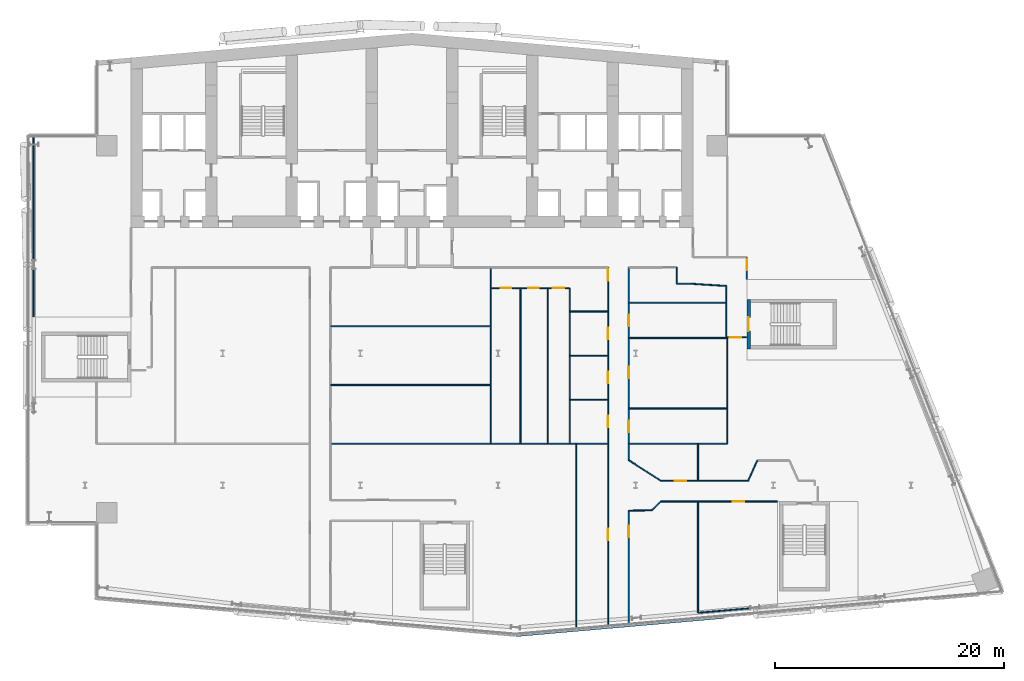
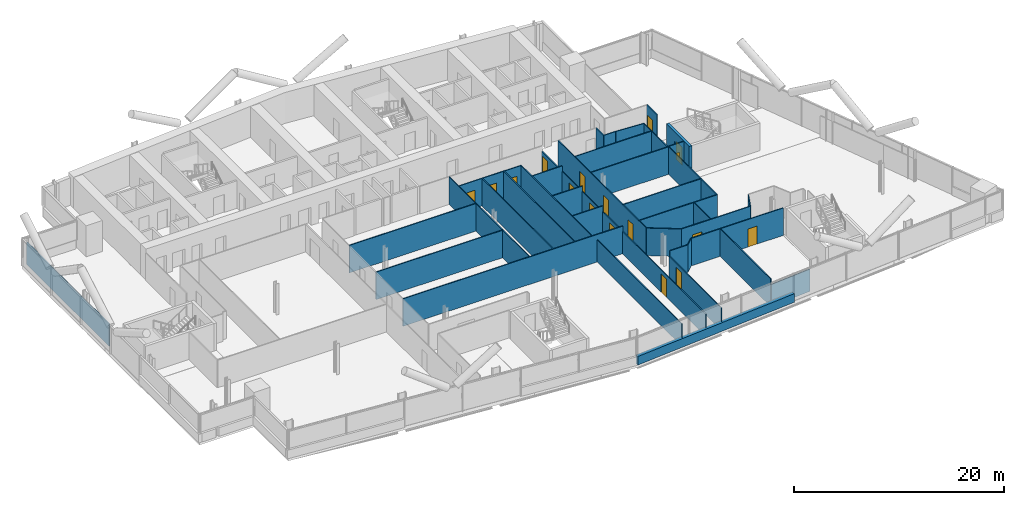
# One storey, part 15 of 27: 38 walls, 17 doors, 17 openings.
"""IFC4 building model written with IfcOpenShell, lengths in metres."""

from ifc_helpers import new_model, si_unit, direction, frame, frame_2d, origin, place, context, subcontext, project, spatial, rectangle, extrude, material, layer, layer_set, type_object, element, fill, save


model = new_model("IFC4")

# Units and contexts
model_context = context("Model", 3, precision=1e-05, world=origin(), true_north=direction((0.0, 1.0)))
body_context = subcontext(model_context, "Body", "Model", "MODEL_VIEW")
ifc_project = project(units=[si_unit("LENGTHUNIT", "METRE"), si_unit("AREAUNIT", "SQUARE_METRE"), si_unit("VOLUMEUNIT", "CUBIC_METRE"), si_unit("PLANEANGLEUNIT", "RADIAN"), si_unit("MASSUNIT", "GRAM", prefix="KILO")], contexts=[model_context])

# Site, building, storey
site_placement = place(None, origin())
site = spatial("IfcSite", under=ifc_project, at=site_placement, CompositionType="ELEMENT")
building_placement = place(site_placement, origin())
building = spatial("IfcBuilding", under=site, at=building_placement, Name="Wharfspan Tower", CompositionType="ELEMENT")
storey_placement = place(building_placement, frame((0.0, 0.0, 111.100098)))
storey = spatial("IfcBuildingStorey", under=building, at=storey_placement, Name="L25", CompositionType="ELEMENT", Elevation=111.100098)

# Walls
ifc_material_1 = material(Name="Gypsum board on steel studs", Category="steel")
ifc_layer_1 = layer(ifc_material_1, 0.100098)
ifc_layer_set_1 = layer_set([ifc_layer_1], Name="Gypsum board on steel studs")
wall_type_1 = type_object("IfcWallType", Name="Compartment wall 100 EI 60", PredefinedType="PARTITIONING", material=ifc_layer_set_1)
wall_1_placement = place(storey_placement, frame((33.399902, 15.129883, 0.0), z_axis=(0.0, 0.0, 1.0), x_axis=(1.0, 0.0, 0.0)))
element("IfcWall", 1, at=wall_1_placement, inside=storey, type_object=wall_type_1, Name="Partition L25.w017", PredefinedType="PARTITIONING", context=body_context, shape_type="SweptSolid", body=[
    extrude(rectangle(XDim=24.200195, YDim=0.100098, at=frame_2d((12.100098, 0.0))), origin(), (0.0, 0.0, 1.0), 3.199951),
])
for number, where, z_axis, x_axis, name in (
    (2, (33.399902, 20.254883, 0.0), (0.0, 0.0, 1.0), (1.0, 0.0, 0.0), "Partition L25.w018"),
    (3, (33.399902, 25.375, 0.0), (0.0, 0.0, 1.0), (1.0, 0.0, 0.0), "Partition L25.w019"),
):
    element("IfcWall", number, at=place(storey_placement, frame(where, z_axis=z_axis, x_axis=x_axis)), inside=storey, type_object=wall_type_1, Name=name, PredefinedType="PARTITIONING", context=body_context, shape_type="SweptSolid", body=[
        extrude(rectangle(XDim=13.975098, YDim=0.100098, at=frame_2d((6.987549, 0.0))), origin(), (0.0, 0.0, 1.0), 3.199951),
    ])
wall_2_placement = place(storey_placement, frame((47.375, 15.129883, 0.0), z_axis=(0.0, 0.0, 1.0), x_axis=(0.0, 1.0, 0.0)))
element("IfcWall", 4, at=wall_2_placement, inside=storey, type_object=wall_type_1, Name="Partition L25.w024", PredefinedType="PARTITIONING", context=body_context, shape_type="SweptSolid", body=[
    extrude(rectangle(XDim=15.360107, YDim=0.100098, at=frame_2d((7.680176, 0.0))), origin(), (0.0, 0.0, 1.0), 3.199951),
])
for number, where, z_axis, x_axis, name in (
    (5, (54.25, 18.975098, 0.0), (0.0, 0.0, 1.0), (1.0, 0.0, 0.0), "Partition L25.w029"),
    (6, (54.25, 22.814941, 0.0), (0.0, 0.0, 1.0), (1.0, 0.0, 0.0), "Partition L25.w030"),
    (7, (54.25, 26.659912, 0.0), (0.0, 0.0, 1.0), (1.0, 0.0, 0.0), "Partition L25.w031"),
):
    element("IfcWall", number, at=place(storey_placement, frame(where, z_axis=z_axis, x_axis=x_axis)), inside=storey, type_object=wall_type_1, Name=name, PredefinedType="PARTITIONING", context=body_context, shape_type="SweptSolid", body=[
        extrude(rectangle(XDim=3.350098, YDim=0.100098, at=frame_2d((1.675049, 0.0))), origin(), (0.0, 0.0, 1.0), 3.199951),
    ])

# Wall, openings, doors
wall_3_placement = place(storey_placement, frame((57.600098, -0.789551, 0.0), z_axis=(0.0, 0.0, 1.0), x_axis=(0.0, 1.0, 0.0)))
wall_3 = element("IfcWall", 8, at=wall_3_placement, inside=storey, type_object=wall_type_1, Name="Partition L25.w033", PredefinedType="PARTITIONING", context=body_context, shape_type="SweptSolid", body=[
    extrude(rectangle(XDim=31.289551, YDim=0.100098, at=frame_2d((15.644775, 0.0))), origin(), (0.0, 0.0, 1.0), 2.579834),
])
opening_1_placement = place(wall_3_placement, frame((7.499512, 0.0, 0.0)))
opening_1 = element("IfcOpeningElement", 9, at=opening_1_placement, cuts=wall_3, Name="Opening B3-02", PredefinedType="OPENING", context=body_context, shape_type="SweptSolid", body=[
    extrude(rectangle(XDim=1.0, YDim=2.100098, at=frame_2d((0.5, 1.050049))), frame((0.0, 0.060059, 0.0), z_axis=(0.0, -1.0, 0.0), x_axis=(1.0, 0.0, 0.0)), (0.0, 0.0, 1.0), 0.120117),
])
opening_2_placement = place(wall_3_placement, frame((17.344482, 0.0, 0.0)))
opening_2 = element("IfcOpeningElement", 10, at=opening_2_placement, cuts=wall_3, Name="Opening B3-09", PredefinedType="OPENING", context=body_context, shape_type="SweptSolid", body=[
    extrude(rectangle(XDim=1.0, YDim=2.100098, at=frame_2d((0.5, 1.050049))), frame((0.0, 0.060059, 0.0), z_axis=(0.0, -1.0, 0.0), x_axis=(1.0, 0.0, 0.0)), (0.0, 0.0, 1.0), 0.120117),
])
opening_3_placement = place(wall_3_placement, frame((21.18457, 0.0, 0.0)))
opening_3 = element("IfcOpeningElement", 11, at=opening_3_placement, cuts=wall_3, Name="Opening B3-11", PredefinedType="OPENING", context=body_context, shape_type="SweptSolid", body=[
    extrude(rectangle(XDim=1.0, YDim=2.100098, at=frame_2d((0.5, 1.050049))), frame((0.0, 0.060059, 0.0), z_axis=(0.0, -1.0, 0.0), x_axis=(1.0, 0.0, 0.0)), (0.0, 0.0, 1.0), 0.120117),
])
opening_4_placement = place(wall_3_placement, frame((25.029541, 0.0, 0.0)))
opening_4 = element("IfcOpeningElement", 12, at=opening_4_placement, cuts=wall_3, Name="Opening B3-15", PredefinedType="OPENING", context=body_context, shape_type="SweptSolid", body=[
    extrude(rectangle(XDim=1.0, YDim=2.100098, at=frame_2d((0.5, 1.050049))), frame((0.0, 0.060059, 0.0), z_axis=(0.0, -1.0, 0.0), x_axis=(1.0, 0.0, 0.0)), (0.0, 0.0, 1.0), 0.120117),
])
opening_5_placement = place(wall_3_placement, frame((30.139404, 0.0, 0.0)))
opening_5 = element("IfcOpeningElement", 13, at=opening_5_placement, cuts=wall_3, Name="Opening B3-24", PredefinedType="OPENING", context=body_context, shape_type="SweptSolid", body=[
    extrude(rectangle(XDim=1.0, YDim=2.100098, at=frame_2d((0.5, 1.050049))), frame((0.0, 0.060059, 0.0), z_axis=(0.0, -1.0, 0.0), x_axis=(1.0, 0.0, 0.0)), (0.0, 0.0, 1.0), 0.120117),
])
ifc_material_2 = material(Name="Fire-rated timber door leaf in steel frame", Category="steel")
door_type_1 = type_object("IfcDoorType", Name="Door 1000 FD30S Left", OperationType="SINGLE_SWING_LEFT", PredefinedType="DOOR", material=ifc_material_2)
door_1_placement = place(opening_1_placement, origin())
door_1 = element("IfcDoor", 14, at=door_1_placement, inside=storey, type_object=door_type_1, Name="Door B3-02", OperationType="SINGLE_SWING_LEFT", OverallHeight=2.100098, OverallWidth=1.0, PredefinedType="DOOR", context=body_context, shape_type="SweptSolid", body=[
    extrude(rectangle(XDim=1.0, YDim=2.100098, at=frame_2d((0.5, 1.050049))), frame((0.0, 0.024902, 0.0), z_axis=(0.0, -1.0, 0.0), x_axis=(1.0, 0.0, 0.0)), (0.0, 0.0, 1.0), 0.050049),
])
fill(opening_1, door_1)
door_type_2 = type_object("IfcDoorType", Name="Door 1000 FD30S Right", OperationType="SINGLE_SWING_RIGHT", PredefinedType="DOOR", material=ifc_material_2)
door_2_placement = place(opening_2_placement, origin())
door_2 = element("IfcDoor", 15, at=door_2_placement, inside=storey, type_object=door_type_2, Name="Door B3-09", OperationType="SINGLE_SWING_RIGHT", OverallHeight=2.100098, OverallWidth=1.0, PredefinedType="DOOR", context=body_context, shape_type="SweptSolid", body=[
    extrude(rectangle(XDim=1.0, YDim=2.100098, at=frame_2d((0.5, 1.050049))), frame((0.0, 0.024902, 0.0), z_axis=(0.0, -1.0, 0.0), x_axis=(1.0, 0.0, 0.0)), (0.0, 0.0, 1.0), 0.050049),
])
fill(opening_2, door_2)
door_3_placement = place(opening_3_placement, origin())
door_3 = element("IfcDoor", 16, at=door_3_placement, inside=storey, type_object=door_type_2, Name="Door B3-11", OperationType="SINGLE_SWING_RIGHT", OverallHeight=2.100098, OverallWidth=1.0, PredefinedType="DOOR", context=body_context, shape_type="SweptSolid", body=[
    extrude(rectangle(XDim=1.0, YDim=2.100098, at=frame_2d((0.5, 1.050049))), frame((0.0, 0.024902, 0.0), z_axis=(0.0, -1.0, 0.0), x_axis=(1.0, 0.0, 0.0)), (0.0, 0.0, 1.0), 0.050049),
])
fill(opening_3, door_3)
door_4_placement = place(opening_4_placement, origin())
door_4 = element("IfcDoor", 17, at=door_4_placement, inside=storey, type_object=door_type_2, Name="Door B3-15", OperationType="SINGLE_SWING_RIGHT", OverallHeight=2.100098, OverallWidth=1.0, PredefinedType="DOOR", context=body_context, shape_type="SweptSolid", body=[
    extrude(rectangle(XDim=1.0, YDim=2.100098, at=frame_2d((0.5, 1.050049))), frame((0.0, 0.024902, 0.0), z_axis=(0.0, -1.0, 0.0), x_axis=(1.0, 0.0, 0.0)), (0.0, 0.0, 1.0), 0.050049),
])
fill(opening_4, door_4)
door_5_placement = place(opening_5_placement, origin())
door_5 = element("IfcDoor", 18, at=door_5_placement, inside=storey, type_object=door_type_2, Name="Door B3-24", OperationType="SINGLE_SWING_RIGHT", OverallHeight=2.100098, OverallWidth=1.0, PredefinedType="DOOR", context=body_context, shape_type="SweptSolid", body=[
    extrude(rectangle(XDim=1.0, YDim=2.100098, at=frame_2d((0.5, 1.050049))), frame((0.0, 0.024902, 0.0), z_axis=(0.0, -1.0, 0.0), x_axis=(1.0, 0.0, 0.0)), (0.0, 0.0, 1.0), 0.050049),
])
fill(opening_5, door_5)

# Wall, opening, door
wall_4_placement = place(storey_placement, frame((59.399902, -0.63208, 0.0), z_axis=(0.0, 0.0, 1.0), x_axis=(0.0, 1.0, 0.0)))
wall_4 = element("IfcWall", 19, at=wall_4_placement, inside=storey, type_object=wall_type_1, Name="Partition L25.w034", PredefinedType="PARTITIONING", context=body_context, shape_type="SweptSolid", body=[
    extrude(rectangle(XDim=9.932129, YDim=0.100098, at=frame_2d((4.966064, 0.0))), origin(), (0.0, 0.0, 1.0), 2.579834),
])
opening_6_placement = place(wall_4_placement, frame((7.601807, 0.0, 0.0)))
opening_6 = element("IfcOpeningElement", 20, at=opening_6_placement, cuts=wall_4, Name="Opening B3-03", PredefinedType="OPENING", context=body_context, shape_type="SweptSolid", body=[
    extrude(rectangle(XDim=1.0, YDim=2.100098, at=frame_2d((0.5, 1.050049))), frame((0.0, 0.060059, 0.0), z_axis=(0.0, -1.0, 0.0), x_axis=(1.0, 0.0, 0.0)), (0.0, 0.0, 1.0), 0.120117),
])
door_6_placement = place(opening_6_placement, origin())
door_6 = element("IfcDoor", 21, at=door_6_placement, inside=storey, type_object=door_type_2, Name="Door B3-03", OperationType="SINGLE_SWING_RIGHT", OverallHeight=2.100098, OverallWidth=1.0, PredefinedType="DOOR", context=body_context, shape_type="SweptSolid", body=[
    extrude(rectangle(XDim=1.0, YDim=2.100098, at=frame_2d((0.5, 1.050049))), frame((0.0, 0.024902, 0.0), z_axis=(0.0, -1.0, 0.0), x_axis=(1.0, 0.0, 0.0)), (0.0, 0.0, 1.0), 0.050049),
])
fill(opening_6, door_6)

# Wall
wall_5_placement = place(storey_placement, frame((59.399902, 9.300049, 0.0), z_axis=(0.0, 0.0, 1.0), x_axis=(0.999918, 0.01245, 0.0)))
element("IfcWall", 22, at=wall_5_placement, inside=storey, type_object=wall_type_1, Name="Partition L25.w035", PredefinedType="PARTITIONING", context=body_context, shape_type="SweptSolid", body=[
    extrude(rectangle(XDim=2.000244, YDim=0.100098, at=frame_2d((1.0, 0.0))), origin(), (0.0, 0.0, 1.0), 3.199951),
])

# Wall, openings, doors
wall_6_placement = place(storey_placement, frame((59.399902, 13.699951, 0.0), z_axis=(0.0, 0.0, 1.0), x_axis=(0.0, 1.0, 0.0)))
wall_6 = element("IfcWall", 23, at=wall_6_placement, inside=storey, type_object=wall_type_1, Name="Partition L25.w036", PredefinedType="PARTITIONING", context=body_context, shape_type="SweptSolid", body=[
    extrude(rectangle(XDim=16.800049, YDim=0.100098, at=frame_2d((8.399902, 0.0))), origin(), (0.0, 0.0, 1.0), 3.199951),
])
opening_7_placement = place(wall_6_placement, frame((2.449951, 0.0, 0.0)))
opening_7 = element("IfcOpeningElement", 24, at=opening_7_placement, cuts=wall_6, Name="Opening B3-08", PredefinedType="OPENING", context=body_context, shape_type="SweptSolid", body=[
    extrude(rectangle(XDim=1.0, YDim=2.100098, at=frame_2d((0.5, 1.050049))), frame((0.0, 0.060059, 0.0), z_axis=(0.0, -1.0, 0.0), x_axis=(1.0, 0.0, 0.0)), (0.0, 0.0, 1.0), 0.120117),
])
opening_8_placement = place(wall_6_placement, frame((7.125, 0.0, 0.0)))
opening_8 = element("IfcOpeningElement", 25, at=opening_8_placement, cuts=wall_6, Name="Opening B3-12", PredefinedType="OPENING", context=body_context, shape_type="SweptSolid", body=[
    extrude(rectangle(XDim=1.0, YDim=2.100098, at=frame_2d((0.5, 1.050049))), frame((0.0, 0.060059, 0.0), z_axis=(0.0, -1.0, 0.0), x_axis=(1.0, 0.0, 0.0)), (0.0, 0.0, 1.0), 0.120117),
])
opening_9_placement = place(wall_6_placement, frame((11.675049, 0.0, 0.0)))
opening_9 = element("IfcOpeningElement", 26, at=opening_9_placement, cuts=wall_6, Name="Opening B3-16", PredefinedType="OPENING", context=body_context, shape_type="SweptSolid", body=[
    extrude(rectangle(XDim=1.0, YDim=2.100098, at=frame_2d((0.5, 1.050049))), frame((0.0, 0.060059, 0.0), z_axis=(0.0, -1.0, 0.0), x_axis=(1.0, 0.0, 0.0)), (0.0, 0.0, 1.0), 0.120117),
])
door_7_placement = place(opening_7_placement, origin())
door_7 = element("IfcDoor", 27, at=door_7_placement, inside=storey, type_object=door_type_1, Name="Door B3-08", OperationType="SINGLE_SWING_LEFT", OverallHeight=2.100098, OverallWidth=1.0, PredefinedType="DOOR", context=body_context, shape_type="SweptSolid", body=[
    extrude(rectangle(XDim=1.0, YDim=2.100098, at=frame_2d((0.5, 1.050049))), frame((0.0, 0.024902, 0.0), z_axis=(0.0, -1.0, 0.0), x_axis=(1.0, 0.0, 0.0)), (0.0, 0.0, 1.0), 0.050049),
])
fill(opening_7, door_7)
door_8_placement = place(opening_8_placement, origin())
door_8 = element("IfcDoor", 28, at=door_8_placement, inside=storey, type_object=door_type_1, Name="Door B3-12", OperationType="SINGLE_SWING_LEFT", OverallHeight=2.100098, OverallWidth=1.0, PredefinedType="DOOR", context=body_context, shape_type="SweptSolid", body=[
    extrude(rectangle(XDim=1.0, YDim=2.100098, at=frame_2d((0.5, 1.050049))), frame((0.0, 0.024902, 0.0), z_axis=(0.0, -1.0, 0.0), x_axis=(1.0, 0.0, 0.0)), (0.0, 0.0, 1.0), 0.050049),
])
fill(opening_8, door_8)
door_9_placement = place(opening_9_placement, origin())
door_9 = element("IfcDoor", 29, at=door_9_placement, inside=storey, type_object=door_type_2, Name="Door B3-16", OperationType="SINGLE_SWING_RIGHT", OverallHeight=2.100098, OverallWidth=1.0, PredefinedType="DOOR", context=body_context, shape_type="SweptSolid", body=[
    extrude(rectangle(XDim=1.0, YDim=2.100098, at=frame_2d((0.5, 1.050049))), frame((0.0, 0.024902, 0.0), z_axis=(0.0, -1.0, 0.0), x_axis=(1.0, 0.0, 0.0)), (0.0, 0.0, 1.0), 0.050049),
])
fill(opening_9, door_9)

# Walls
for number, where, z_axis, x_axis, name in (
    (30, (59.399902, 15.129883, 0.0), (0.0, 0.0, 1.0), (1.0, 0.0, 0.0), "Partition L25.w037"),
    (31, (59.399902, 18.205078, 0.0), (0.0, 0.0, 1.0), (1.0, 0.0, 0.0), "Partition L25.w038"),
    (32, (59.399902, 24.35498, 0.0), (0.0, 0.0, 1.0), (1.0, 0.0, 0.0), "Partition L25.w039"),
):
    element("IfcWall", number, at=place(storey_placement, frame(where, z_axis=z_axis, x_axis=x_axis)), inside=storey, type_object=wall_type_1, Name=name, PredefinedType="PARTITIONING", context=body_context, shape_type="SweptSolid", body=[
        extrude(rectangle(XDim=8.600098, YDim=0.100098, at=frame_2d((4.300049, 0.0))), origin(), (0.0, 0.0, 1.0), 3.199951),
    ])
wall_7_placement = place(storey_placement, frame((59.399902, 27.425049, 0.0), z_axis=(0.0, 0.0, 1.0), x_axis=(1.0, 0.0, 0.0)))
element("IfcWall", 33, at=wall_7_placement, inside=storey, type_object=wall_type_1, Name="Partition L25.w040", PredefinedType="PARTITIONING", context=body_context, shape_type="SweptSolid", body=[
    extrude(rectangle(XDim=8.48999, YDim=0.100098, at=frame_2d((4.245117, 0.0))), origin(), (0.0, 0.0, 1.0), 3.199951),
])
wall_8_placement = place(storey_placement, frame((61.399902, 9.324951, 0.0), z_axis=(0.0, 0.0, 1.0), x_axis=(0.720495, 0.693452, 0.0)))
element("IfcWall", 34, at=wall_8_placement, inside=storey, type_object=wall_type_1, Name="Partition L25.w042", PredefinedType="PARTITIONING", context=body_context, shape_type="SweptSolid", body=[
    extrude(rectangle(XDim=1.110352, YDim=0.100098, at=frame_2d((0.555176, 0.0))), origin(), (0.0, 0.0, 1.0), 3.199951),
])

# Wall, opening, door
wall_9_placement = place(storey_placement, frame((62.199951, 10.094971, 0.0), z_axis=(0.0, 0.0, 1.0), x_axis=(1.0, 0.0, 0.0)))
wall_9 = element("IfcWall", 35, at=wall_9_placement, inside=storey, type_object=wall_type_1, Name="Partition L25.w043", PredefinedType="PARTITIONING", context=body_context, shape_type="SweptSolid", body=[
    extrude(rectangle(XDim=10.145996, YDim=0.100098, at=frame_2d((5.072998, 0.0))), origin(), (0.0, 0.0, 1.0), 3.199951),
])
opening_10_placement = place(wall_9_placement, frame((6.26001, 0.0, 0.0)))
opening_10 = element("IfcOpeningElement", 36, at=opening_10_placement, cuts=wall_9, Name="Opening B3-05", PredefinedType="OPENING", context=body_context, shape_type="SweptSolid", body=[
    extrude(rectangle(XDim=1.0, YDim=2.100098, at=frame_2d((0.5, 1.050049))), frame((0.0, 0.060059, 0.0), z_axis=(0.0, -1.0, 0.0), x_axis=(1.0, 0.0, 0.0)), (0.0, 0.0, 1.0), 0.120117),
])
door_10_placement = place(opening_10_placement, origin())
door_10 = element("IfcDoor", 37, at=door_10_placement, inside=storey, type_object=door_type_2, Name="Door B3-05", OperationType="SINGLE_SWING_RIGHT", OverallHeight=2.100098, OverallWidth=1.0, PredefinedType="DOOR", context=body_context, shape_type="SweptSolid", body=[
    extrude(rectangle(XDim=1.0, YDim=2.100098, at=frame_2d((0.5, 1.050049))), frame((0.0, 0.024902, 0.0), z_axis=(0.0, -1.0, 0.0), x_axis=(1.0, 0.0, 0.0)), (0.0, 0.0, 1.0), 0.050049),
])
fill(opening_10, door_10)

wall_10_placement = place(storey_placement, frame((62.199951, 11.89502, 0.0), z_axis=(0.0, 0.0, 1.0), x_axis=(1.0, 0.0, 0.0)))
wall_10 = element("IfcWall", 38, at=wall_10_placement, inside=storey, type_object=wall_type_1, Name="Partition L25.w044", PredefinedType="PARTITIONING", context=body_context, shape_type="SweptSolid", body=[
    extrude(rectangle(XDim=7.600098, YDim=0.100098, at=frame_2d((3.800049, 0.0))), origin(), (0.0, 0.0, 1.0), 3.199951),
])
opening_11_placement = place(wall_10_placement, frame((1.219971, 0.0, 0.0)))
opening_11 = element("IfcOpeningElement", 39, at=opening_11_placement, cuts=wall_10, Name="Opening B3-07", PredefinedType="OPENING", context=body_context, shape_type="SweptSolid", body=[
    extrude(rectangle(XDim=1.0, YDim=2.100098, at=frame_2d((0.5, 1.050049))), frame((0.0, 0.060059, 0.0), z_axis=(0.0, -1.0, 0.0), x_axis=(1.0, 0.0, 0.0)), (0.0, 0.0, 1.0), 0.120117),
])
door_11_placement = place(opening_11_placement, origin())
door_11 = element("IfcDoor", 40, at=door_11_placement, inside=storey, type_object=door_type_1, Name="Door B3-07", OperationType="SINGLE_SWING_LEFT", OverallHeight=2.100098, OverallWidth=1.0, PredefinedType="DOOR", context=body_context, shape_type="SweptSolid", body=[
    extrude(rectangle(XDim=1.0, YDim=2.100098, at=frame_2d((0.5, 1.050049))), frame((0.0, 0.024902, 0.0), z_axis=(0.0, -1.0, 0.0), x_axis=(1.0, 0.0, 0.0)), (0.0, 0.0, 1.0), 0.050049),
])
fill(opening_11, door_11)

# Walls
wall_11_placement = place(storey_placement, frame((62.199951, 11.89502, 0.0), z_axis=(0.0, 0.0, 1.0), x_axis=(-0.840512, 0.5418, 0.0)))
element("IfcWall", 41, at=wall_11_placement, inside=storey, type_object=wall_type_1, Name="Partition L25.w045", PredefinedType="PARTITIONING", context=body_context, shape_type="SweptSolid", body=[
    extrude(rectangle(XDim=3.331299, YDim=0.100098, at=frame_2d((1.665527, 0.0))), origin(), (0.0, 0.0, 1.0), 3.199951),
])
wall_12_placement = place(storey_placement, frame((63.574951, 29.074951, 0.0), z_axis=(0.0, 0.0, 1.0), x_axis=(0.0, 1.0, 0.0)))
element("IfcWall", 42, at=wall_12_placement, inside=storey, type_object=wall_type_1, Name="Partition L25.w046", PredefinedType="PARTITIONING", context=body_context, shape_type="SweptSolid", body=[
    extrude(rectangle(XDim=1.425049, YDim=0.100098, at=frame_2d((0.712402, 0.0))), origin(), (0.0, 0.0, 1.0), 3.199951),
])
wall_13_placement = place(storey_placement, frame((63.574951, 29.074951, 0.0), z_axis=(0.0, 0.0, 1.0), x_axis=(1.0, 0.0, 0.0)))
element("IfcWall", 43, at=wall_13_placement, inside=storey, type_object=wall_type_1, Name="Partition L25.w047", PredefinedType="PARTITIONING", context=body_context, shape_type="SweptSolid", body=[
    extrude(rectangle(XDim=1.285156, YDim=0.100098, at=frame_2d((0.642578, 0.0))), origin(), (0.0, 0.0, 1.0), 3.199951),
])
wall_14_placement = place(storey_placement, frame((65.439941, 0.389893, 0.0), z_axis=(0.0, 0.0, 1.0), x_axis=(0.0, 1.0, 0.0)))
element("IfcWall", 44, at=wall_14_placement, inside=storey, type_object=wall_type_1, Name="Partition L25.w051", PredefinedType="PARTITIONING", context=body_context, shape_type="SweptSolid", body=[
    extrude(rectangle(XDim=9.705078, YDim=0.100098, at=frame_2d((4.852539, 0.0))), origin(), (0.0, 0.0, 1.0), 3.199951),
])
wall_15_placement = place(storey_placement, frame((65.439941, 11.89502, 0.0), z_axis=(0.0, 0.0, 1.0), x_axis=(0.0, 1.0, 0.0)))
element("IfcWall", 45, at=wall_15_placement, inside=storey, type_object=wall_type_1, Name="Partition L25.w052", PredefinedType="PARTITIONING", context=body_context, shape_type="SweptSolid", body=[
    extrude(rectangle(XDim=3.234863, YDim=0.100098, at=frame_2d((1.617432, 0.0))), origin(), (0.0, 0.0, 1.0), 3.199951),
])
wall_16_placement = place(storey_placement, frame((67.889893, 24.399902, 0.0), z_axis=(0.0, 0.0, 1.0), x_axis=(0.0, 1.0, 0.0)))
element("IfcWall", 46, at=wall_16_placement, inside=storey, type_object=wall_type_1, Name="Partition L25.w053", PredefinedType="PARTITIONING", context=body_context, shape_type="SweptSolid", body=[
    extrude(rectangle(XDim=4.485107, YDim=0.100098, at=frame_2d((2.242676, 0.0))), origin(), (0.0, 0.0, 1.0), 3.199951),
])

# Wall, opening, door
wall_17_placement = place(storey_placement, frame((68.0, 24.399902, 0.0), z_axis=(0.0, 0.0, 1.0), x_axis=(1.0, 0.0, 0.0)))
wall_17 = element("IfcWall", 47, at=wall_17_placement, inside=storey, type_object=wall_type_1, Name="Partition L25.w054", PredefinedType="PARTITIONING", context=body_context, shape_type="SweptSolid", body=[
    extrude(rectangle(XDim=1.67041, YDim=0.100098, at=frame_2d((0.835205, 0.0))), origin(), (0.0, 0.0, 1.0), 3.199951),
])
opening_12_placement = place(wall_17_placement, frame((0.199951, 0.0, 0.0)))
opening_12 = element("IfcOpeningElement", 48, at=opening_12_placement, cuts=wall_17, Name="Opening B3-14", PredefinedType="OPENING", context=body_context, shape_type="SweptSolid", body=[
    extrude(rectangle(XDim=1.0, YDim=2.100098, at=frame_2d((0.5, 1.050049))), frame((0.0, 0.060059, 0.0), z_axis=(0.0, -1.0, 0.0), x_axis=(1.0, 0.0, 0.0)), (0.0, 0.0, 1.0), 0.120117),
])
door_12_placement = place(opening_12_placement, origin())
door_12 = element("IfcDoor", 49, at=door_12_placement, inside=storey, type_object=door_type_1, Name="Door B3-14", OperationType="SINGLE_SWING_LEFT", OverallHeight=2.100098, OverallWidth=1.0, PredefinedType="DOOR", context=body_context, shape_type="SweptSolid", body=[
    extrude(rectangle(XDim=1.0, YDim=2.100098, at=frame_2d((0.5, 1.050049))), frame((0.0, 0.024902, 0.0), z_axis=(0.0, -1.0, 0.0), x_axis=(1.0, 0.0, 0.0)), (0.0, 0.0, 1.0), 0.050049),
])
fill(opening_12, door_12)

# Walls
wall_18_placement = place(storey_placement, frame((67.889893, 28.88501, 0.0), z_axis=(0.0, 0.0, 1.0), x_axis=(-0.998031, 0.062786, 0.0)))
element("IfcWall", 50, at=wall_18_placement, inside=storey, type_object=wall_type_1, Name="Partition L25.w055", PredefinedType="PARTITIONING", context=body_context, shape_type="SweptSolid", body=[
    extrude(rectangle(XDim=3.02124, YDim=0.100098, at=frame_2d((1.510742, 0.0))), origin(), (0.0, 0.0, 1.0), 3.199951),
])
wall_19_placement = place(storey_placement, frame((68.0, 15.129883, 0.0), z_axis=(0.0, 0.0, 1.0), x_axis=(0.0, 1.0, 0.0)))
element("IfcWall", 51, at=wall_19_placement, inside=storey, type_object=wall_type_1, Name="Partition L25.w056", PredefinedType="PARTITIONING", context=body_context, shape_type="SweptSolid", body=[
    extrude(rectangle(XDim=9.220215, YDim=0.100098, at=frame_2d((4.610107, 0.0))), origin(), (0.0, 0.0, 1.0), 3.199951),
])

# Wall, opening, door
wall_20_placement = place(storey_placement, frame((69.689941, 29.469971, 0.0), z_axis=(0.0, 0.0, 1.0), x_axis=(0.0, 1.0, 0.0)))
wall_20 = element("IfcWall", 52, at=wall_20_placement, inside=storey, type_object=wall_type_1, Name="Partition L25.w058", PredefinedType="PARTITIONING", context=body_context, shape_type="SweptSolid", body=[
    extrude(rectangle(XDim=1.929932, YDim=0.100098, at=frame_2d((0.964844, 0.0))), origin(), (0.0, 0.0, 1.0), 3.199951),
])
opening_13_placement = place(wall_20_placement, frame((0.800049, 0.0, 0.0)))
opening_13 = element("IfcOpeningElement", 53, at=opening_13_placement, cuts=wall_20, Name="Opening B3-26", PredefinedType="OPENING", context=body_context, shape_type="SweptSolid", body=[
    extrude(rectangle(XDim=1.0, YDim=2.100098, at=frame_2d((0.5, 1.050049))), frame((0.0, 0.060059, 0.0), z_axis=(0.0, -1.0, 0.0), x_axis=(1.0, 0.0, 0.0)), (0.0, 0.0, 1.0), 0.120117),
])
door_13_placement = place(opening_13_placement, origin())
door_13 = element("IfcDoor", 54, at=door_13_placement, inside=storey, type_object=door_type_2, Name="Door B3-26", OperationType="SINGLE_SWING_RIGHT", OverallHeight=2.100098, OverallWidth=1.0, PredefinedType="DOOR", context=body_context, shape_type="SweptSolid", body=[
    extrude(rectangle(XDim=1.0, YDim=2.100098, at=frame_2d((0.5, 1.050049))), frame((0.0, 0.024902, 0.0), z_axis=(0.0, -1.0, 0.0), x_axis=(1.0, 0.0, 0.0)), (0.0, 0.0, 1.0), 0.050049),
])
fill(opening_13, door_13)

# Walls
wall_21_placement = place(storey_placement, frame((69.800049, 11.89502, 0.0), z_axis=(0.0, 0.0, 1.0), x_axis=(0.409954, 0.912107, 0.0)))
element("IfcWall", 55, at=wall_21_placement, inside=storey, type_object=wall_type_1, Name="Partition L25.w059", PredefinedType="PARTITIONING", context=body_context, shape_type="SweptSolid", body=[
    extrude(rectangle(XDim=1.95166, YDim=0.100098, at=frame_2d((0.97583, 0.0))), origin(), (0.0, 0.0, 1.0), 3.199951),
])
ifc_layer_2 = layer(ifc_material_1, 0.100098)
ifc_layer_set_2 = layer_set([ifc_layer_2], Name="Gypsum board on steel studs")
wall_type_2 = type_object("IfcWallType", Name="Partition 100", PredefinedType="PARTITIONING", material=ifc_layer_set_2)
wall_22_placement = place(storey_placement, frame((7.51001, 26.219971, 0.0), z_axis=(0.0, 0.0, 1.0), x_axis=(0.0, 1.0, 0.0)))
element("IfcWall", 56, at=wall_22_placement, inside=storey, type_object=wall_type_2, Name="Partition L25.w002", PredefinedType="PARTITIONING", context=body_context, shape_type="SweptSolid", body=[
    extrude(rectangle(XDim=15.76001, YDim=0.100098, at=frame_2d((7.879883, 0.0))), origin(), (0.0, 0.0, 1.0), 2.579834),
])

# Wall, openings, doors
wall_23_placement = place(storey_placement, frame((47.375, 28.699951, 0.0), z_axis=(0.0, 0.0, 1.0), x_axis=(1.0, 0.0, 0.0)))
wall_23 = element("IfcWall", 57, at=wall_23_placement, inside=storey, type_object=wall_type_2, Name="Partition L25.w025", PredefinedType="PARTITIONING", context=body_context, shape_type="SweptSolid", body=[
    extrude(rectangle(XDim=6.875, YDim=0.100098, at=frame_2d((3.4375, 0.0))), origin(), (0.0, 0.0, 1.0), 3.199951),
])
opening_14_placement = place(wall_23_placement, frame((0.870117, 0.0, 0.0)))
opening_14 = element("IfcOpeningElement", 58, at=opening_14_placement, cuts=wall_23, Name="Opening B3-19", PredefinedType="OPENING", context=body_context, shape_type="SweptSolid", body=[
    extrude(rectangle(XDim=0.899902, YDim=2.100098, at=frame_2d((0.449951, 1.050049))), frame((0.0, 0.060059, 0.0), z_axis=(0.0, -1.0, 0.0), x_axis=(1.0, 0.0, 0.0)), (0.0, 0.0, 1.0), 0.120117),
])
opening_15_placement = place(wall_23_placement, frame((3.26001, 0.0, 0.0)))
opening_15 = element("IfcOpeningElement", 59, at=opening_15_placement, cuts=wall_23, Name="Opening B3-20", PredefinedType="OPENING", context=body_context, shape_type="SweptSolid", body=[
    extrude(rectangle(XDim=0.899902, YDim=2.100098, at=frame_2d((0.449951, 1.050049))), frame((0.0, 0.060059, 0.0), z_axis=(0.0, -1.0, 0.0), x_axis=(1.0, 0.0, 0.0)), (0.0, 0.0, 1.0), 0.120117),
])
opening_16_placement = place(wall_23_placement, frame((5.39502, 0.0, 0.0)))
opening_16 = element("IfcOpeningElement", 60, at=opening_16_placement, cuts=wall_23, Name="Opening B3-21", PredefinedType="OPENING", context=body_context, shape_type="SweptSolid", body=[
    extrude(rectangle(XDim=1.0, YDim=2.100098, at=frame_2d((0.5, 1.050049))), frame((0.0, 0.060059, 0.0), z_axis=(0.0, -1.0, 0.0), x_axis=(1.0, 0.0, 0.0)), (0.0, 0.0, 1.0), 0.120117),
])
ifc_material_3 = material(Name="Timber door leaf in steel frame", Category="steel")
door_type_3 = type_object("IfcDoorType", Name="Door 1000 NOT RATED Right", OperationType="SINGLE_SWING_RIGHT", PredefinedType="DOOR", material=ifc_material_3)
door_14_placement = place(opening_16_placement, origin())
door_14 = element("IfcDoor", 61, at=door_14_placement, inside=storey, type_object=door_type_3, Name="Door B3-21", OperationType="SINGLE_SWING_RIGHT", OverallHeight=2.100098, OverallWidth=1.0, PredefinedType="DOOR", context=body_context, shape_type="SweptSolid", body=[
    extrude(rectangle(XDim=1.0, YDim=2.100098, at=frame_2d((0.5, 1.050049))), frame((0.0, 0.024902, 0.0), z_axis=(0.0, -1.0, 0.0), x_axis=(1.0, 0.0, 0.0)), (0.0, 0.0, 1.0), 0.050049),
])
fill(opening_16, door_14)
door_type_4 = type_object("IfcDoorType", Name="Door 900 NOT RATED Left", OperationType="SINGLE_SWING_LEFT", PredefinedType="DOOR", material=ifc_material_3)
door_15_placement = place(opening_14_placement, origin())
door_15 = element("IfcDoor", 62, at=door_15_placement, inside=storey, type_object=door_type_4, Name="Door B3-19", OperationType="SINGLE_SWING_LEFT", OverallHeight=2.100098, OverallWidth=0.899902, PredefinedType="DOOR", context=body_context, shape_type="SweptSolid", body=[
    extrude(rectangle(XDim=0.899902, YDim=2.100098, at=frame_2d((0.449951, 1.050049))), frame((0.0, 0.024902, 0.0), z_axis=(0.0, -1.0, 0.0), x_axis=(1.0, 0.0, 0.0)), (0.0, 0.0, 1.0), 0.050049),
])
fill(opening_14, door_15)
door_type_5 = type_object("IfcDoorType", Name="Door 900 NOT RATED Right", OperationType="SINGLE_SWING_RIGHT", PredefinedType="DOOR", material=ifc_material_3)
door_16_placement = place(opening_15_placement, origin())
door_16 = element("IfcDoor", 63, at=door_16_placement, inside=storey, type_object=door_type_5, Name="Door B3-20", OperationType="SINGLE_SWING_RIGHT", OverallHeight=2.100098, OverallWidth=0.899902, PredefinedType="DOOR", context=body_context, shape_type="SweptSolid", body=[
    extrude(rectangle(XDim=0.899902, YDim=2.100098, at=frame_2d((0.449951, 1.050049))), frame((0.0, 0.024902, 0.0), z_axis=(0.0, -1.0, 0.0), x_axis=(1.0, 0.0, 0.0)), (0.0, 0.0, 1.0), 0.050049),
])
fill(opening_15, door_16)

# Walls
for number, where, z_axis, x_axis, name in (
    (64, (49.965088, 15.129883, 0.0), (0.0, 0.0, 1.0), (0.0, 1.0, 0.0), "Partition L25.w026"),
    (65, (52.350098, 15.129883, 0.0), (0.0, 0.0, 1.0), (0.0, 1.0, 0.0), "Partition L25.w027"),
    (66, (54.25, 15.129883, 0.0), (0.0, 0.0, 1.0), (0.0, 1.0, 0.0), "Partition L25.w028"),
):
    element("IfcWall", number, at=place(storey_placement, frame(where, z_axis=z_axis, x_axis=x_axis)), inside=storey, type_object=wall_type_2, Name=name, PredefinedType="PARTITIONING", context=body_context, shape_type="SweptSolid", body=[
        extrude(rectangle(XDim=13.570068, YDim=0.100098, at=frame_2d((6.785156, 0.0))), origin(), (0.0, 0.0, 1.0), 3.199951),
    ])
wall_24_placement = place(storey_placement, frame((54.810059, -1.033691, 0.0), z_axis=(0.0, 0.0, 1.0), x_axis=(0.0, 1.0, 0.0)))
element("IfcWall", 67, at=wall_24_placement, inside=storey, type_object=wall_type_2, Name="Partition L25.w032", PredefinedType="PARTITIONING", context=body_context, shape_type="SweptSolid", body=[
    extrude(rectangle(XDim=16.163574, YDim=0.100098, at=frame_2d((8.081787, 0.0))), origin(), (0.0, 0.0, 1.0), 2.579834),
])
wall_25_placement = place(storey_placement, frame((65.439941, 0.389893, 0.0), z_axis=(0.0, 0.0, 1.0), x_axis=(0.996214, 0.086949, 0.0)))
element("IfcWall", 68, at=wall_25_placement, inside=storey, type_object=wall_type_2, Name="Partition L25.w050", PredefinedType="PARTITIONING", context=body_context, shape_type="SweptSolid", body=[
    extrude(rectangle(XDim=4.487061, YDim=0.100098, at=frame_2d((2.243652, 0.0))), origin(), (0.0, 0.0, 1.0), 2.579834),
])
ifc_material_4 = material(Name="Concrete C40/50", Category="concrete")
ifc_layer_3 = layer(ifc_material_4, 0.350098)
ifc_layer_set_3 = layer_set([ifc_layer_3], Name="Concrete C40/50")
wall_type_3 = type_object("IfcWallType", Name="SPANDREL EXPOSED CONCRETE 350", PredefinedType="SOLIDWALL", material=ifc_layer_set_3)
wall_26_placement = place(storey_placement, frame((49.54541, -1.519287, 0.0), z_axis=(0.0, 0.0, 1.0), x_axis=(0.996191, 0.087151, 0.0)))
element("IfcWall", 69, at=wall_26_placement, inside=storey, type_object=wall_type_3, Name="Spandrel upstand L25 S2 1", PredefinedType="SOLIDWALL", context=body_context, shape_type="SweptSolid", body=[
    extrude(rectangle(XDim=18.20874, YDim=0.350098, at=frame_2d((9.104492, 0.0))), origin(), (0.0, 0.0, 1.0), 1.0),
])

# Wall, opening, door
ifc_layer_4 = layer(ifc_material_4, 0.300049)
ifc_layer_set_4 = layer_set([ifc_layer_4], Name="Concrete C40/50")
wall_type_4 = type_object("IfcWallType", Name="Stair core wall 300", PredefinedType="SHEAR", material=ifc_layer_set_4)
wall_27_placement = place(storey_placement, frame((69.840332, 23.375, 0.0), z_axis=(0.0, 0.0, 1.0), x_axis=(0.0, 1.0, 0.0)))
wall_27 = element("IfcWall", 70, at=wall_27_placement, inside=storey, type_object=wall_type_4, Name="ST6 stair enclosure wall L25", PredefinedType="SHEAR", context=body_context, shape_type="SweptSolid", body=[
    extrude(rectangle(XDim=4.350098, YDim=0.300049, at=frame_2d((2.175049, 0.0))), origin(), (0.0, 0.0, 1.0), 3.199951),
])
opening_17_placement = place(wall_27_placement, frame((1.574951, 0.0, 0.0)))
opening_17 = element("IfcOpeningElement", 71, at=opening_17_placement, cuts=wall_27, Name="Opening SD6.L25", PredefinedType="OPENING", context=body_context, shape_type="SweptSolid", body=[
    extrude(rectangle(XDim=1.199951, YDim=2.100098, at=frame_2d((0.600098, 1.050049))), frame((0.0, 0.159912, 0.0), z_axis=(0.0, -1.0, 0.0), x_axis=(1.0, 0.0, 0.0)), (0.0, 0.0, 1.0), 0.320068),
])
ifc_material_5 = material(Name="Steel door leaf", Category="steel")
door_type_6 = type_object("IfcDoorType", Name="Stair door 1200x2100", OperationType="SINGLE_SWING_LEFT", PredefinedType="DOOR", material=ifc_material_5)
door_17_placement = place(opening_17_placement, origin())
door_17 = element("IfcDoor", 72, at=door_17_placement, inside=storey, type_object=door_type_6, Name="sd:L25:ST6z2", OperationType="SINGLE_SWING_RIGHT", OverallHeight=2.100098, OverallWidth=1.199951, PredefinedType="DOOR", context=body_context, shape_type="SweptSolid", body=[
    extrude(rectangle(XDim=1.199951, YDim=2.100098, at=frame_2d((0.600098, 1.050049))), frame((0.0, 0.024902, 0.0), z_axis=(0.0, -1.0, 0.0), x_axis=(1.0, 0.0, 0.0)), (0.0, 0.0, 1.0), 0.050049),
])
fill(opening_17, door_17)

save(model, "model.ifc")
